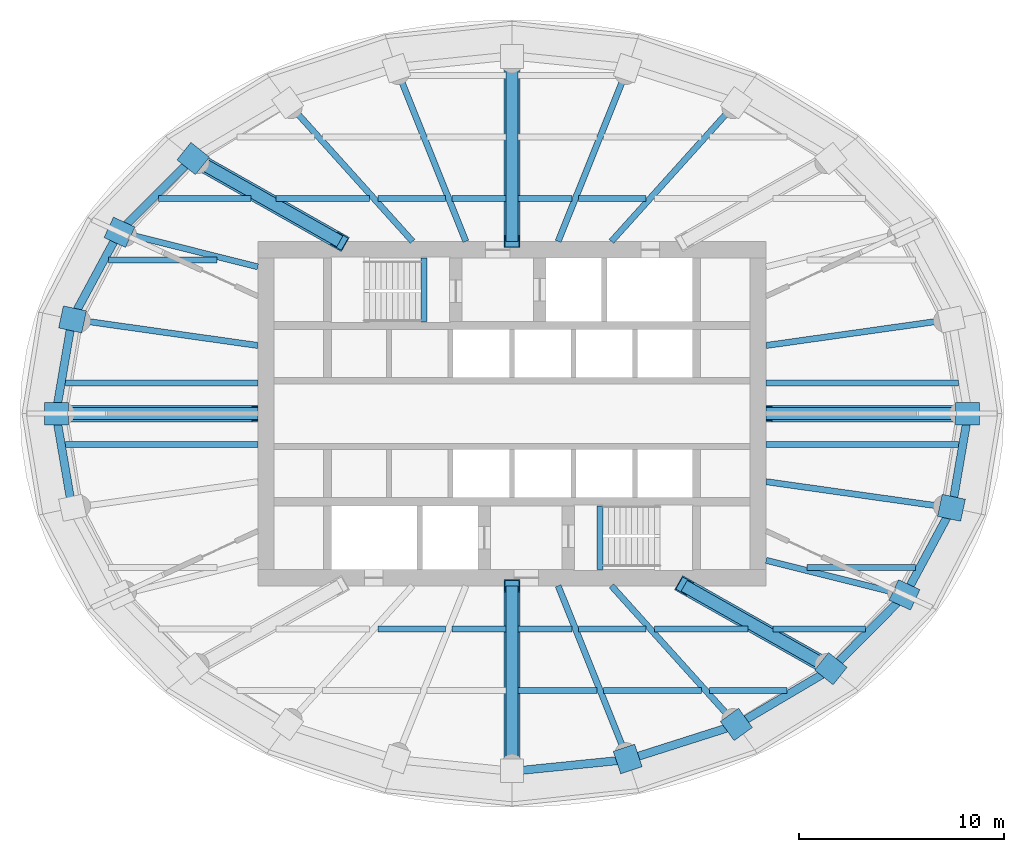
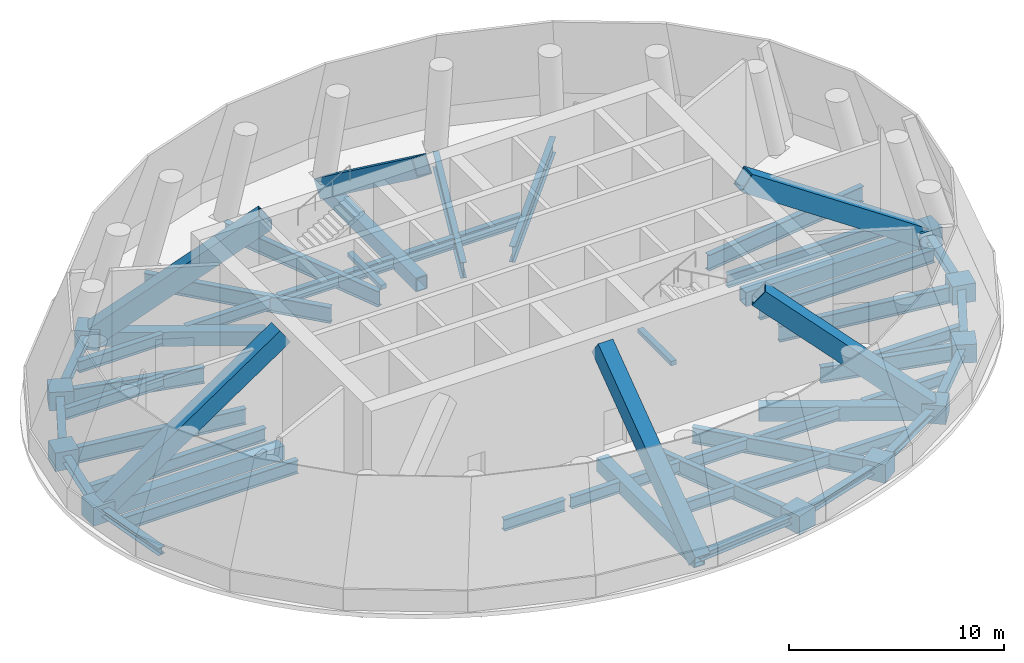
# One storey, part 2 of 6: 60 beams, 6 members.
"""IFC4 building model written with IfcOpenShell, lengths in metres."""

from ifc_helpers import new_model, si_unit, direction, frame, origin, origin_2d, place, context, subcontext, project, spatial, rectangle, hollow_rectangle, i_section, extrude, material, material_profile, profile_set, type_object, element, save


model = new_model("IFC4")

# Units and contexts
model_context = context("Model", 3, precision=1e-05, world=origin(), true_north=direction((0.0, 1.0)))
body_context = subcontext(model_context, "Body", "Model", "MODEL_VIEW")
ifc_project = project(units=[si_unit("LENGTHUNIT", "METRE"), si_unit("AREAUNIT", "SQUARE_METRE"), si_unit("VOLUMEUNIT", "CUBIC_METRE"), si_unit("PLANEANGLEUNIT", "RADIAN"), si_unit("MASSUNIT", "GRAM", prefix="KILO")], contexts=[model_context])

# Site, building, storey
site_placement = place(None, origin())
site = spatial("IfcSite", under=ifc_project, at=site_placement, CompositionType="ELEMENT")
building_placement = place(site_placement, origin())
building = spatial("IfcBuilding", under=site, at=building_placement, Name="Hankou Lantern Tower", CompositionType="ELEMENT")
storey_placement = place(building_placement, frame((0.0, 0.0, 186.300048828125)))
storey = spatial("IfcBuildingStorey", under=building, at=storey_placement, Name="L50", CompositionType="ELEMENT", Elevation=186.300048828125)

# Beams
ifc_material_1 = material(Name="Steel Q355B", Category="steel")
ifc_material_profile_1 = material_profile(ifc_material_1, i_section(OverallWidth=0.39990234375, OverallDepth=0.39990234375, WebThickness=0.012939453125, FlangeThickness=0.02099609375, FilletRadius=0.02197265625, at=origin_2d()), Name="HW400x400x13x21")
ifc_profile_set_1 = profile_set([ifc_material_profile_1], Name="Steel Q355B")
beam_type_1 = type_object("IfcBeamType", Name="EB19 RING BEAM HW400x400x13x21", PredefinedType="SPANDREL", material=ifc_profile_set_1)
beam_1_placement = place(storey_placement, frame((-15.576171875, 12.4609375, -0.449951171875), z_axis=(-0.706147278092, -0.708064984054, 0.0), x_axis=(0.708064984054, -0.706147278092, 0.0)))
element("IfcBeam", 1, at=beam_1_placement, inside=storey, type_object=beam_type_1, Name="Ring beam R10-R11 L50", PredefinedType="SPANDREL", context=body_context, shape_type="SweptSolid", body=[
    extrude(i_section(OverallWidth=0.39990234375, OverallDepth=0.39990234375, WebThickness=0.012939453125, FlangeThickness=0.02099609375, FilletRadius=0.02197265625, at=origin_2d()), origin(), (0.0, 0.0, 1.0), 5.09228515625),
])
beam_2_placement = place(storey_placement, frame((-19.172119140625, 8.855224609375, -0.449951171875), z_axis=(-0.474051612334, -0.880497057828, 0.0), x_axis=(0.880497057828, -0.474051612334, 0.0)))
element("IfcBeam", 2, at=beam_2_placement, inside=storey, type_object=beam_type_1, Name="Ring beam R11-R12 L50", PredefinedType="SPANDREL", context=body_context, shape_type="SweptSolid", body=[
    extrude(i_section(OverallWidth=0.39990234375, OverallDepth=0.39990234375, WebThickness=0.012939453125, FlangeThickness=0.02099609375, FilletRadius=0.02197265625, at=origin_2d()), origin(), (0.0, 0.0, 1.0), 4.831787109375),
])
for number, where, z_axis, x_axis, name in (
    (3, (-21.462646484375, 4.600830078125, -0.449951171875), (-0.168680718946, -0.985670743735, 0.0), (0.985670743735, -0.168680718946, 0.0), "Ring beam R12-R13 L50"),
    (4, (-22.25, 0.0, -0.449951171875), (0.168680718946, -0.985670743735, 0.0), (0.985670743735, 0.168680718946, 0.0), "Ring beam R13-R14 L50"),
):
    element("IfcBeam", number, at=place(storey_placement, frame(where, z_axis=z_axis, x_axis=x_axis)), inside=storey, type_object=beam_type_1, Name=name, PredefinedType="SPANDREL", context=body_context, shape_type="SweptSolid", body=[
        extrude(i_section(OverallWidth=0.39990234375, OverallDepth=0.39990234375, WebThickness=0.012939453125, FlangeThickness=0.02099609375, FilletRadius=0.02197265625, at=origin_2d()), origin(), (0.0, 0.0, 1.0), 4.667724609375),
    ])
beam_3_placement = place(storey_placement, frame((0.0, -17.449951171875, -0.449951171875), z_axis=(0.9949104636, 0.100762936734, 0.0), x_axis=(-0.100762936734, 0.9949104636, 0.0)))
element("IfcBeam", 5, at=beam_3_placement, inside=storey, type_object=beam_type_1, Name="Ring beam R19-R20 L50", PredefinedType="SPANDREL", context=body_context, shape_type="SweptSolid", body=[
    extrude(i_section(OverallWidth=0.39990234375, OverallDepth=0.39990234375, WebThickness=0.012939453125, FlangeThickness=0.02099609375, FilletRadius=0.02197265625, at=origin_2d()), origin(), (0.0, 0.0, 1.0), 5.681640625),
])
beam_4_placement = place(storey_placement, frame((5.65283203125, -16.87744140625, -0.449951171875), z_axis=(0.952790404271, 0.30362879562, 0.0), x_axis=(-0.30362879562, 0.952790404271, 0.0)))
element("IfcBeam", 6, at=beam_4_placement, inside=storey, type_object=beam_type_1, Name="Ring beam R20-R21 L50", PredefinedType="SPANDREL", context=body_context, shape_type="SweptSolid", body=[
    extrude(i_section(OverallWidth=0.39990234375, OverallDepth=0.39990234375, WebThickness=0.012939453125, FlangeThickness=0.02099609375, FilletRadius=0.02197265625, at=origin_2d()), origin(), (0.0, 0.0, 1.0), 5.56982421875),
])
beam_5_placement = place(storey_placement, frame((10.959716796875, -15.186279296875, -0.449951171875), z_axis=(0.861135888339, 0.508374843806, 0.0), x_axis=(-0.508374843806, 0.861135888339, 0.0)))
element("IfcBeam", 7, at=beam_5_placement, inside=storey, type_object=beam_type_1, Name="Ring beam R21-R22 L50", PredefinedType="SPANDREL", context=body_context, shape_type="SweptSolid", body=[
    extrude(i_section(OverallWidth=0.39990234375, OverallDepth=0.39990234375, WebThickness=0.012939453125, FlangeThickness=0.02099609375, FilletRadius=0.02197265625, at=origin_2d()), origin(), (0.0, 0.0, 1.0), 5.36083984375),
])
beam_6_placement = place(storey_placement, frame((15.576171875, -12.4609375, -0.449951171875), z_axis=(0.706147278092, 0.708064984054, 0.0), x_axis=(-0.708064984054, 0.706147278092, 0.0)))
element("IfcBeam", 8, at=beam_6_placement, inside=storey, type_object=beam_type_1, Name="Ring beam R22-R23 L50", PredefinedType="SPANDREL", context=body_context, shape_type="SweptSolid", body=[
    extrude(i_section(OverallWidth=0.39990234375, OverallDepth=0.39990234375, WebThickness=0.012939453125, FlangeThickness=0.02099609375, FilletRadius=0.02197265625, at=origin_2d()), origin(), (0.0, 0.0, 1.0), 5.09228515625),
])
beam_7_placement = place(storey_placement, frame((19.172119140625, -8.855224609375, -0.449951171875), z_axis=(0.474051612334, 0.880497057828, 0.0), x_axis=(-0.880497057828, 0.474051612334, 0.0)))
element("IfcBeam", 9, at=beam_7_placement, inside=storey, type_object=beam_type_1, Name="Ring beam R23-R24 L50", PredefinedType="SPANDREL", context=body_context, shape_type="SweptSolid", body=[
    extrude(i_section(OverallWidth=0.39990234375, OverallDepth=0.39990234375, WebThickness=0.012939453125, FlangeThickness=0.02099609375, FilletRadius=0.02197265625, at=origin_2d()), origin(), (0.0, 0.0, 1.0), 4.831787109375),
])
beam_8_placement = place(storey_placement, frame((21.462646484375, -4.600830078125, -0.449951171875), z_axis=(0.168680718946, 0.985670743735, 0.0), x_axis=(-0.985670743735, 0.168680718946, 0.0)))
element("IfcBeam", 10, at=beam_8_placement, inside=storey, type_object=beam_type_1, Name="Ring beam R24-R01 L50", PredefinedType="SPANDREL", context=body_context, shape_type="SweptSolid", body=[
    extrude(i_section(OverallWidth=0.39990234375, OverallDepth=0.39990234375, WebThickness=0.012939453125, FlangeThickness=0.02099609375, FilletRadius=0.02197265625, at=origin_2d()), origin(), (0.0, 0.0, 1.0), 4.667724609375),
])
ifc_material_2 = material(Name="Concrete C40", Category="concrete")
ifc_material_profile_2 = material_profile(ifc_material_2, rectangle(XDim=0.300048828125, YDim=0.25, at=origin_2d()), Name="RC 300x250")
ifc_profile_set_2 = profile_set([ifc_material_profile_2], Name="Concrete C40")
beam_type_2 = type_object("IfcBeamType", Name="LB1 STAIR LANDING BEAM RC 300x250", PredefinedType="BEAM", material=ifc_profile_set_2)
for number, where, z_axis, x_axis, name in (
    (11, (-4.300048828125, 4.5, 3.017822265625), (0.0, 1.0, 0.0), (-1.0, 0.0, 0.0), "Stair STA landing beam L50"),
    (12, (4.300048828125, -4.5, 3.017822265625), (0.0, -1.0, 0.0), (1.0, 0.0, 0.0), "Stair STB landing beam L50"),
):
    element("IfcBeam", number, at=place(storey_placement, frame(where, z_axis=z_axis, x_axis=x_axis)), inside=storey, type_object=beam_type_2, Name=name, PredefinedType="BEAM", context=body_context, shape_type="SweptSolid", body=[
        extrude(rectangle(XDim=0.300048828125, YDim=0.25, at=origin_2d()), origin(), (0.0, 0.0, 1.0), 3.10009765625),
    ])

# Members
ifc_material_3 = material(Name="Steel Q390GJ", Category="steel")
ifc_material_profile_3 = material_profile(ifc_material_3, hollow_rectangle(XDim=0.800048828125, YDim=1.0, WallThickness=0.06005859375, at=origin_2d()), Name="BOX1000x800x60")
ifc_profile_set_3 = profile_set([ifc_material_profile_3], Name="Steel Q390GJ")
member_type = type_object("IfcMemberType", Name="OD1 OUTRIGGER DIAGONAL BOX1000x800x60", PredefinedType="BRACE", material=ifc_profile_set_3)
member_1_placement = place(storey_placement, frame((12.39990234375, 0.0, 6.02001953125), z_axis=(0.828015510354, 0.0, -0.560705194031), x_axis=(0.0, 1.0, 0.0)))
element("IfcMember", 13, at=member_1_placement, inside=storey, type_object=member_type, Name="Outrigger diagonal R01 L50", PredefinedType="BRACE", context=body_context, shape_type="SweptSolid", body=[
    extrude(hollow_rectangle(XDim=0.800048828125, YDim=1.0, WallThickness=0.06005859375, at=origin_2d()), origin(), (0.0, 0.0, 1.0), 11.89599609375),
])
member_2_placement = place(storey_placement, frame((0.0, 8.39990234375, 6.02001953125), z_axis=(0.0, 0.804983237372, -0.593297553973), x_axis=(-1.0, 0.0, 0.0)))
element("IfcMember", 14, at=member_2_placement, inside=storey, type_object=member_type, Name="Outrigger diagonal R07 L50", PredefinedType="BRACE", context=body_context, shape_type="SweptSolid", body=[
    extrude(hollow_rectangle(XDim=0.800048828125, YDim=1.0, WallThickness=0.06005859375, at=origin_2d()), origin(), (0.0, 0.0, 1.0), 11.242431640625),
])
member_3_placement = place(storey_placement, frame((-8.39990234375, 8.39990234375, 6.02001953125), z_axis=(-0.676639416663, 0.38290875882, -0.628919694585), x_axis=(-0.492505983234, -0.870309058024, 0.0)))
element("IfcMember", 15, at=member_3_placement, inside=storey, type_object=member_type, Name="Outrigger diagonal R10 L50", PredefinedType="BRACE", context=body_context, shape_type="SweptSolid", body=[
    extrude(hollow_rectangle(XDim=0.800048828125, YDim=1.0, WallThickness=0.06005859375, at=origin_2d()), origin(), (0.0, 0.0, 1.0), 10.605712890625),
])
member_4_placement = place(storey_placement, frame((-12.39990234375, 0.0, 6.02001953125), z_axis=(-0.828015510354, 0.0, -0.560705194031), x_axis=(0.0, -1.0, 0.0)))
element("IfcMember", 16, at=member_4_placement, inside=storey, type_object=member_type, Name="Outrigger diagonal R13 L50", PredefinedType="BRACE", context=body_context, shape_type="SweptSolid", body=[
    extrude(hollow_rectangle(XDim=0.800048828125, YDim=1.0, WallThickness=0.06005859375, at=origin_2d()), origin(), (0.0, 0.0, 1.0), 11.89599609375),
])
member_5_placement = place(storey_placement, frame((0.0, -8.39990234375, 6.02001953125), z_axis=(0.0, -0.804983237372, -0.593297553973), x_axis=(1.0, 0.0, 0.0)))
element("IfcMember", 17, at=member_5_placement, inside=storey, type_object=member_type, Name="Outrigger diagonal R19 L50", PredefinedType="BRACE", context=body_context, shape_type="SweptSolid", body=[
    extrude(hollow_rectangle(XDim=0.800048828125, YDim=1.0, WallThickness=0.06005859375, at=origin_2d()), origin(), (0.0, 0.0, 1.0), 11.242431640625),
])
member_6_placement = place(storey_placement, frame((8.39990234375, -8.39990234375, 6.02001953125), z_axis=(0.676639416663, -0.38290875882, -0.628919694585), x_axis=(0.492505983234, 0.870309058024, 0.0)))
element("IfcMember", 18, at=member_6_placement, inside=storey, type_object=member_type, Name="Outrigger diagonal R22 L50", PredefinedType="BRACE", context=body_context, shape_type="SweptSolid", body=[
    extrude(hollow_rectangle(XDim=0.800048828125, YDim=1.0, WallThickness=0.06005859375, at=origin_2d()), origin(), (0.0, 0.0, 1.0), 10.605712890625),
])

# Beams
ifc_material_4 = material(Name="Steel Q390GJ", Category="steel")
ifc_material_profile_4 = material_profile(ifc_material_4, hollow_rectangle(XDim=0.60009765625, YDim=0.800048828125, WallThickness=0.050048828125, at=origin_2d()), Name="BOX800x600x50")
ifc_profile_set_4 = profile_set([ifc_material_profile_4], Name="Steel Q390GJ")
beam_type_3 = type_object("IfcBeamType", Name="OT2 OUTRIGGER CHORD BOX800x600x50", PredefinedType="BEAM", material=ifc_profile_set_4)
beam_9_placement = place(storey_placement, frame((12.39990234375, 0.0, -0.650146484375), z_axis=(1.0, 0.0, 0.0), x_axis=(0.0, 1.0, 0.0)))
element("IfcBeam", 19, at=beam_9_placement, inside=storey, type_object=beam_type_3, Name="Radial beam R01 L50", PredefinedType="BEAM", context=body_context, shape_type="SweptSolid", body=[
    extrude(hollow_rectangle(XDim=0.60009765625, YDim=0.800048828125, WallThickness=0.050048828125, at=origin_2d()), origin(), (0.0, 0.0, 1.0), 9.85009765625),
])
beam_10_placement = place(storey_placement, frame((0.0, 8.39990234375, -0.650146484375), z_axis=(0.0, 1.0, 0.0), x_axis=(-1.0, 0.0, 0.0)))
element("IfcBeam", 20, at=beam_10_placement, inside=storey, type_object=beam_type_3, Name="Radial beam R07 L50", PredefinedType="BEAM", context=body_context, shape_type="SweptSolid", body=[
    extrude(hollow_rectangle(XDim=0.60009765625, YDim=0.800048828125, WallThickness=0.050048828125, at=origin_2d()), origin(), (0.0, 0.0, 1.0), 9.050048828125),
])
beam_11_placement = place(storey_placement, frame((-8.39990234375, 8.39990234375, -0.650146484375), z_axis=(-0.870309058024, 0.492505983234, 0.0), x_axis=(-0.492505983234, -0.870309058024, 0.0)))
element("IfcBeam", 21, at=beam_11_placement, inside=storey, type_object=beam_type_3, Name="Radial beam R10 L50", PredefinedType="BEAM", context=body_context, shape_type="SweptSolid", body=[
    extrude(hollow_rectangle(XDim=0.60009765625, YDim=0.800048828125, WallThickness=0.050048828125, at=origin_2d()), origin(), (0.0, 0.0, 1.0), 8.24560546875),
])
beam_12_placement = place(storey_placement, frame((-12.39990234375, 0.0, -0.650146484375), z_axis=(-1.0, 0.0, 0.0), x_axis=(0.0, -1.0, 0.0)))
element("IfcBeam", 22, at=beam_12_placement, inside=storey, type_object=beam_type_3, Name="Radial beam R13 L50", PredefinedType="BEAM", context=body_context, shape_type="SweptSolid", body=[
    extrude(hollow_rectangle(XDim=0.60009765625, YDim=0.800048828125, WallThickness=0.050048828125, at=origin_2d()), origin(), (0.0, 0.0, 1.0), 9.85009765625),
])
beam_13_placement = place(storey_placement, frame((0.0, -8.39990234375, -0.650146484375), z_axis=(0.0, -1.0, 0.0), x_axis=(1.0, 0.0, 0.0)))
element("IfcBeam", 23, at=beam_13_placement, inside=storey, type_object=beam_type_3, Name="Radial beam R19 L50", PredefinedType="BEAM", context=body_context, shape_type="SweptSolid", body=[
    extrude(hollow_rectangle(XDim=0.60009765625, YDim=0.800048828125, WallThickness=0.050048828125, at=origin_2d()), origin(), (0.0, 0.0, 1.0), 9.050048828125),
])
beam_14_placement = place(storey_placement, frame((8.39990234375, -8.39990234375, -0.650146484375), z_axis=(0.870309058024, -0.492505983234, 0.0), x_axis=(0.492505983234, 0.870309058024, 0.0)))
element("IfcBeam", 24, at=beam_14_placement, inside=storey, type_object=beam_type_3, Name="Radial beam R22 L50", PredefinedType="BEAM", context=body_context, shape_type="SweptSolid", body=[
    extrude(hollow_rectangle(XDim=0.60009765625, YDim=0.800048828125, WallThickness=0.050048828125, at=origin_2d()), origin(), (0.0, 0.0, 1.0), 8.24560546875),
])
ifc_material_5 = material(Name="Steel Q355B", Category="steel")
ifc_material_profile_5 = material_profile(ifc_material_5, i_section(OverallWidth=0.300048828125, OverallDepth=0.89990234375, WebThickness=0.01611328125, FlangeThickness=0.028076171875, FilletRadius=0.01806640625, at=origin_2d()), Name="HN900x300x16x28")
ifc_profile_set_5 = profile_set([ifc_material_profile_5], Name="Steel Q355B")
beam_type_4 = type_object("IfcBeamType", Name="RB13 RADIAL BEAM HN900x300x16x28", PredefinedType="BEAM", material=ifc_profile_set_5)
beam_15_placement = place(storey_placement, frame((12.39990234375, 3.322509765625, -0.699951171875), z_axis=(0.990198154617, 0.13966966239, 0.0), x_axis=(-0.13966966239, 0.990198154617, 0.0)))
element("IfcBeam", 25, at=beam_15_placement, inside=storey, type_object=beam_type_4, Name="Radial beam R02 L50", PredefinedType="BEAM", context=body_context, shape_type="SweptSolid", body=[
    extrude(i_section(OverallWidth=0.300048828125, OverallDepth=0.89990234375, WebThickness=0.01611328125, FlangeThickness=0.028076171875, FilletRadius=0.01806640625, at=origin_2d()), origin(), (0.0, 0.0, 1.0), 9.15234375),
])
beam_16_placement = place(storey_placement, frame((4.849853515625, 8.39990234375, -0.699951171875), z_axis=(0.669093231314, 0.743178476418, 0.0), x_axis=(-0.743178476418, 0.669093231314, 0.0)))
element("IfcBeam", 26, at=beam_16_placement, inside=storey, type_object=beam_type_4, Name="Radial beam R05 L50", PredefinedType="BEAM", context=body_context, shape_type="SweptSolid", body=[
    extrude(i_section(OverallWidth=0.300048828125, OverallDepth=0.89990234375, WebThickness=0.01611328125, FlangeThickness=0.028076171875, FilletRadius=0.01806640625, at=origin_2d()), origin(), (0.0, 0.0, 1.0), 9.131591796875),
])
for number, where, z_axis, x_axis, name in (
    (27, (2.250732421875, 8.39990234375, -0.699951171875), (0.372436468133, 0.928057690666, 0.0), (-0.928057690666, 0.372436468133, 0.0), "Radial beam R06 L50"),
    (28, (-2.250732421875, 8.39990234375, -0.699951171875), (-0.372436468133, 0.928057690666, 0.0), (-0.928057690666, -0.372436468133, 0.0), "Radial beam R08 L50"),
):
    element("IfcBeam", number, at=place(storey_placement, frame(where, z_axis=z_axis, x_axis=x_axis)), inside=storey, type_object=beam_type_4, Name=name, PredefinedType="BEAM", context=body_context, shape_type="SweptSolid", body=[
        extrude(i_section(OverallWidth=0.300048828125, OverallDepth=0.89990234375, WebThickness=0.01611328125, FlangeThickness=0.028076171875, FilletRadius=0.01806640625, at=origin_2d()), origin(), (0.0, 0.0, 1.0), 9.134765625),
    ])
beam_17_placement = place(storey_placement, frame((-4.849853515625, 8.39990234375, -0.699951171875), z_axis=(-0.669093231314, 0.743178476418, 0.0), x_axis=(-0.743178476418, -0.669093231314, 0.0)))
element("IfcBeam", 29, at=beam_17_placement, inside=storey, type_object=beam_type_4, Name="Radial beam R09 L50", PredefinedType="BEAM", context=body_context, shape_type="SweptSolid", body=[
    extrude(i_section(OverallWidth=0.300048828125, OverallDepth=0.89990234375, WebThickness=0.01611328125, FlangeThickness=0.028076171875, FilletRadius=0.01806640625, at=origin_2d()), origin(), (0.0, 0.0, 1.0), 9.131591796875),
])
beam_18_placement = place(storey_placement, frame((-12.39990234375, 7.1591796875, -0.699951171875), z_axis=(-0.970041619568, 0.242938791274, 0.0), x_axis=(-0.242938791274, -0.970041619568, 0.0)))
element("IfcBeam", 30, at=beam_18_placement, inside=storey, type_object=beam_type_4, Name="Radial beam R11 L50", PredefinedType="BEAM", context=body_context, shape_type="SweptSolid", body=[
    extrude(i_section(OverallWidth=0.300048828125, OverallDepth=0.89990234375, WebThickness=0.01611328125, FlangeThickness=0.028076171875, FilletRadius=0.01806640625, at=origin_2d()), origin(), (0.0, 0.0, 1.0), 6.9814453125),
])
beam_19_placement = place(storey_placement, frame((-12.39990234375, 3.322509765625, -0.699951171875), z_axis=(-0.990198154617, 0.13966966239, 0.0), x_axis=(-0.13966966239, -0.990198154617, 0.0)))
element("IfcBeam", 31, at=beam_19_placement, inside=storey, type_object=beam_type_4, Name="Radial beam R12 L50", PredefinedType="BEAM", context=body_context, shape_type="SweptSolid", body=[
    extrude(i_section(OverallWidth=0.300048828125, OverallDepth=0.89990234375, WebThickness=0.01611328125, FlangeThickness=0.028076171875, FilletRadius=0.01806640625, at=origin_2d()), origin(), (0.0, 0.0, 1.0), 9.15234375),
])
beam_20_placement = place(storey_placement, frame((2.250732421875, -8.39990234375, -0.699951171875), z_axis=(0.372436468133, -0.928057690666, 0.0), x_axis=(0.928057690666, 0.372436468133, 0.0)))
element("IfcBeam", 32, at=beam_20_placement, inside=storey, type_object=beam_type_4, Name="Radial beam R20 L50", PredefinedType="BEAM", context=body_context, shape_type="SweptSolid", body=[
    extrude(i_section(OverallWidth=0.300048828125, OverallDepth=0.89990234375, WebThickness=0.01611328125, FlangeThickness=0.028076171875, FilletRadius=0.01806640625, at=origin_2d()), origin(), (0.0, 0.0, 1.0), 9.134765625),
])
beam_21_placement = place(storey_placement, frame((4.849853515625, -8.39990234375, -0.699951171875), z_axis=(0.669093231314, -0.743178476418, 0.0), x_axis=(0.743178476418, 0.669093231314, 0.0)))
element("IfcBeam", 33, at=beam_21_placement, inside=storey, type_object=beam_type_4, Name="Radial beam R21 L50", PredefinedType="BEAM", context=body_context, shape_type="SweptSolid", body=[
    extrude(i_section(OverallWidth=0.300048828125, OverallDepth=0.89990234375, WebThickness=0.01611328125, FlangeThickness=0.028076171875, FilletRadius=0.01806640625, at=origin_2d()), origin(), (0.0, 0.0, 1.0), 9.131591796875),
])
beam_22_placement = place(storey_placement, frame((12.39990234375, -7.1591796875, -0.699951171875), z_axis=(0.970041619568, -0.242938791274, 0.0), x_axis=(0.242938791274, 0.970041619568, 0.0)))
element("IfcBeam", 34, at=beam_22_placement, inside=storey, type_object=beam_type_4, Name="Radial beam R23 L50", PredefinedType="BEAM", context=body_context, shape_type="SweptSolid", body=[
    extrude(i_section(OverallWidth=0.300048828125, OverallDepth=0.89990234375, WebThickness=0.01611328125, FlangeThickness=0.028076171875, FilletRadius=0.01806640625, at=origin_2d()), origin(), (0.0, 0.0, 1.0), 6.9814453125),
])
beam_23_placement = place(storey_placement, frame((12.39990234375, -3.322509765625, -0.699951171875), z_axis=(0.990198154617, -0.13966966239, 0.0), x_axis=(0.13966966239, 0.990198154617, 0.0)))
element("IfcBeam", 35, at=beam_23_placement, inside=storey, type_object=beam_type_4, Name="Radial beam R24 L50", PredefinedType="BEAM", context=body_context, shape_type="SweptSolid", body=[
    extrude(i_section(OverallWidth=0.300048828125, OverallDepth=0.89990234375, WebThickness=0.01611328125, FlangeThickness=0.028076171875, FilletRadius=0.01806640625, at=origin_2d()), origin(), (0.0, 0.0, 1.0), 9.15234375),
])
ifc_material_6 = material(Name="Steel Q355B", Category="steel")
ifc_material_profile_6 = material_profile(ifc_material_6, i_section(OverallWidth=0.300048828125, OverallDepth=0.75, WebThickness=0.012939453125, FlangeThickness=0.02392578125, FilletRadius=0.01806640625, at=origin_2d()), Name="HN750x300x13x24")
ifc_profile_set_6 = profile_set([ifc_material_profile_6], Name="Steel Q355B")
beam_type_5 = type_object("IfcBeamType", Name="SB10 SECONDARY BEAM HN750x300x13x24", PredefinedType="JOIST", material=ifc_profile_set_6)
for number, where, z_axis, x_axis, name in (
    (36, (-21.790283203125, -1.5, -0.625), (1.0, 0.0, 0.0), (0.0, 1.0, 0.0), "Floor joist J019 L50"),
    (37, (12.39990234375, -1.5, -0.625), (1.0, 0.0, 0.0), (0.0, 1.0, 0.0), "Floor joist J020 L50"),
    (38, (-21.790283203125, 1.5, -0.625), (1.0, 0.0, 0.0), (0.0, 1.0, 0.0), "Floor joist J021 L50"),
    (39, (12.39990234375, 1.5, -0.625), (1.0, 0.0, 0.0), (0.0, 1.0, 0.0), "Floor joist J022 L50"),
):
    element("IfcBeam", number, at=place(storey_placement, frame(where, z_axis=z_axis, x_axis=x_axis)), inside=storey, type_object=beam_type_5, Name=name, PredefinedType="JOIST", context=body_context, shape_type="SweptSolid", body=[
        extrude(i_section(OverallWidth=0.300048828125, OverallDepth=0.75, WebThickness=0.012939453125, FlangeThickness=0.02392578125, FilletRadius=0.01806640625, at=origin_2d()), origin(), (0.0, 0.0, 1.0), 9.390380859375),
    ])
ifc_material_7 = material(Name="Steel Q355B", Category="steel")
ifc_material_profile_7 = material_profile(ifc_material_7, i_section(OverallWidth=0.300048828125, OverallDepth=0.64990234375, WebThickness=0.010986328125, FlangeThickness=0.01708984375, FilletRadius=0.01806640625, at=origin_2d()), Name="HN650x300x11x17")
ifc_profile_set_7 = profile_set([ifc_material_profile_7], Name="Steel Q355B")
beam_type_6 = type_object("IfcBeamType", Name="SB8 SECONDARY BEAM HN650x300x11x17", PredefinedType="JOIST", material=ifc_profile_set_7)
beam_24_placement = place(storey_placement, frame((0.300048828125, -13.5, -0.574951171875), z_axis=(1.0, 0.0, 0.0), x_axis=(0.0, 1.0, 0.0)))
element("IfcBeam", 40, at=beam_24_placement, inside=storey, type_object=beam_type_6, Name="Floor joist J004 L50", PredefinedType="JOIST", context=body_context, shape_type="SweptSolid", body=[
    extrude(i_section(OverallWidth=0.300048828125, OverallDepth=0.64990234375, WebThickness=0.010986328125, FlangeThickness=0.01708984375, FilletRadius=0.01806640625, at=origin_2d()), origin(), (0.0, 0.0, 1.0), 3.8359375),
])
beam_25_placement = place(storey_placement, frame((4.459228515625, -13.5, -0.574951171875), z_axis=(1.0, 0.0, 0.0), x_axis=(0.0, 1.0, 0.0)))
element("IfcBeam", 41, at=beam_25_placement, inside=storey, type_object=beam_type_6, Name="Floor joist J005 L50", PredefinedType="JOIST", context=body_context, shape_type="SweptSolid", body=[
    extrude(i_section(OverallWidth=0.300048828125, OverallDepth=0.64990234375, WebThickness=0.010986328125, FlangeThickness=0.01708984375, FilletRadius=0.01806640625, at=origin_2d()), origin(), (0.0, 0.0, 1.0), 4.780517578125),
])
beam_26_placement = place(storey_placement, frame((9.643310546875, -13.5, -0.574951171875), z_axis=(1.0, 0.0, 0.0), x_axis=(0.0, 1.0, 0.0)))
element("IfcBeam", 42, at=beam_26_placement, inside=storey, type_object=beam_type_6, Name="Floor joist J006 L50", PredefinedType="JOIST", context=body_context, shape_type="SweptSolid", body=[
    extrude(i_section(OverallWidth=0.300048828125, OverallDepth=0.64990234375, WebThickness=0.010986328125, FlangeThickness=0.01708984375, FilletRadius=0.01806640625, at=origin_2d()), origin(), (0.0, 0.0, 1.0), 3.779296875),
])
beam_27_placement = place(storey_placement, frame((-6.53857421875, -10.5, -0.574951171875), z_axis=(1.0, 0.0, 0.0), x_axis=(0.0, 1.0, 0.0)))
element("IfcBeam", 43, at=beam_27_placement, inside=storey, type_object=beam_type_6, Name="Floor joist J009 L50", PredefinedType="JOIST", context=body_context, shape_type="SweptSolid", body=[
    extrude(i_section(OverallWidth=0.300048828125, OverallDepth=0.64990234375, WebThickness=0.010986328125, FlangeThickness=0.01708984375, FilletRadius=0.01806640625, at=origin_2d()), origin(), (0.0, 0.0, 1.0), 3.283447265625),
])
for number, where, z_axis, x_axis, name in (
    (44, (-2.931884765625, -10.5, -0.574951171875), (1.0, 0.0, 0.0), (0.0, 1.0, 0.0), "Floor joist J010 L50"),
    (45, (0.300048828125, -10.5, -0.574951171875), (1.0, 0.0, 0.0), (0.0, 1.0, 0.0), "Floor joist J011 L50"),
):
    element("IfcBeam", number, at=place(storey_placement, frame(where, z_axis=z_axis, x_axis=x_axis)), inside=storey, type_object=beam_type_6, Name=name, PredefinedType="JOIST", context=body_context, shape_type="SweptSolid", body=[
        extrude(i_section(OverallWidth=0.300048828125, OverallDepth=0.64990234375, WebThickness=0.010986328125, FlangeThickness=0.01708984375, FilletRadius=0.01806640625, at=origin_2d()), origin(), (0.0, 0.0, 1.0), 2.6318359375),
    ])
beam_28_placement = place(storey_placement, frame((3.255126953125, -10.5, -0.574951171875), z_axis=(1.0, 0.0, 0.0), x_axis=(0.0, 1.0, 0.0)))
element("IfcBeam", 46, at=beam_28_placement, inside=storey, type_object=beam_type_6, Name="Floor joist J012 L50", PredefinedType="JOIST", context=body_context, shape_type="SweptSolid", body=[
    extrude(i_section(OverallWidth=0.300048828125, OverallDepth=0.64990234375, WebThickness=0.010986328125, FlangeThickness=0.01708984375, FilletRadius=0.01806640625, at=origin_2d()), origin(), (0.0, 0.0, 1.0), 3.283447265625),
])
beam_29_placement = place(storey_placement, frame((6.9423828125, -10.5, -0.574951171875), z_axis=(1.0, 0.0, 0.0), x_axis=(0.0, 1.0, 0.0)))
element("IfcBeam", 47, at=beam_29_placement, inside=storey, type_object=beam_type_6, Name="Floor joist J013 L50", PredefinedType="JOIST", context=body_context, shape_type="SweptSolid", body=[
    extrude(i_section(OverallWidth=0.300048828125, OverallDepth=0.64990234375, WebThickness=0.010986328125, FlangeThickness=0.01708984375, FilletRadius=0.01806640625, at=origin_2d()), origin(), (0.0, 0.0, 1.0), 4.5595703125),
])
beam_30_placement = place(storey_placement, frame((12.72021484375, -10.5, -0.574951171875), z_axis=(1.0, 0.0, 0.0), x_axis=(0.0, 1.0, 0.0)))
element("IfcBeam", 48, at=beam_30_placement, inside=storey, type_object=beam_type_6, Name="Floor joist J014 L50", PredefinedType="JOIST", context=body_context, shape_type="SweptSolid", body=[
    extrude(i_section(OverallWidth=0.300048828125, OverallDepth=0.64990234375, WebThickness=0.010986328125, FlangeThickness=0.01708984375, FilletRadius=0.01806640625, at=origin_2d()), origin(), (0.0, 0.0, 1.0), 4.529052734375),
])
for number, where, z_axis, x_axis, name in (
    (49, (14.37841796875, -7.5, -0.574951171875), (1.0, 0.0, 0.0), (0.0, 1.0, 0.0), "Floor joist J016 L50"),
    (50, (-19.6748046875, 7.5, -0.574951171875), (1.0, 0.0, 0.0), (0.0, 1.0, 0.0), "Floor joist J025 L50"),
):
    element("IfcBeam", number, at=place(storey_placement, frame(where, z_axis=z_axis, x_axis=x_axis)), inside=storey, type_object=beam_type_6, Name=name, PredefinedType="JOIST", context=body_context, shape_type="SweptSolid", body=[
        extrude(i_section(OverallWidth=0.300048828125, OverallDepth=0.64990234375, WebThickness=0.010986328125, FlangeThickness=0.01708984375, FilletRadius=0.01806640625, at=origin_2d()), origin(), (0.0, 0.0, 1.0), 5.29638671875),
    ])
beam_31_placement = place(storey_placement, frame((-17.249267578125, 10.5, -0.574951171875), z_axis=(1.0, 0.0, 0.0), x_axis=(0.0, 1.0, 0.0)))
element("IfcBeam", 51, at=beam_31_placement, inside=storey, type_object=beam_type_6, Name="Floor joist J027 L50", PredefinedType="JOIST", context=body_context, shape_type="SweptSolid", body=[
    extrude(i_section(OverallWidth=0.300048828125, OverallDepth=0.64990234375, WebThickness=0.010986328125, FlangeThickness=0.01708984375, FilletRadius=0.01806640625, at=origin_2d()), origin(), (0.0, 0.0, 1.0), 4.529052734375),
])
beam_32_placement = place(storey_placement, frame((-11.501953125, 10.5, -0.574951171875), z_axis=(1.0, 0.0, 0.0), x_axis=(0.0, 1.0, 0.0)))
element("IfcBeam", 52, at=beam_32_placement, inside=storey, type_object=beam_type_6, Name="Floor joist J028 L50", PredefinedType="JOIST", context=body_context, shape_type="SweptSolid", body=[
    extrude(i_section(OverallWidth=0.300048828125, OverallDepth=0.64990234375, WebThickness=0.010986328125, FlangeThickness=0.01708984375, FilletRadius=0.01806640625, at=origin_2d()), origin(), (0.0, 0.0, 1.0), 4.5595703125),
])
beam_33_placement = place(storey_placement, frame((-6.53857421875, 10.5, -0.574951171875), z_axis=(1.0, 0.0, 0.0), x_axis=(0.0, 1.0, 0.0)))
element("IfcBeam", 53, at=beam_33_placement, inside=storey, type_object=beam_type_6, Name="Floor joist J029 L50", PredefinedType="JOIST", context=body_context, shape_type="SweptSolid", body=[
    extrude(i_section(OverallWidth=0.300048828125, OverallDepth=0.64990234375, WebThickness=0.010986328125, FlangeThickness=0.01708984375, FilletRadius=0.01806640625, at=origin_2d()), origin(), (0.0, 0.0, 1.0), 3.283447265625),
])
for number, where, z_axis, x_axis, name in (
    (54, (-2.931884765625, 10.5, -0.574951171875), (1.0, 0.0, 0.0), (0.0, 1.0, 0.0), "Floor joist J030 L50"),
    (55, (0.300048828125, 10.5, -0.574951171875), (1.0, 0.0, 0.0), (0.0, 1.0, 0.0), "Floor joist J031 L50"),
):
    element("IfcBeam", number, at=place(storey_placement, frame(where, z_axis=z_axis, x_axis=x_axis)), inside=storey, type_object=beam_type_6, Name=name, PredefinedType="JOIST", context=body_context, shape_type="SweptSolid", body=[
        extrude(i_section(OverallWidth=0.300048828125, OverallDepth=0.64990234375, WebThickness=0.010986328125, FlangeThickness=0.01708984375, FilletRadius=0.01806640625, at=origin_2d()), origin(), (0.0, 0.0, 1.0), 2.6318359375),
    ])
beam_34_placement = place(storey_placement, frame((3.255126953125, 10.5, -0.574951171875), z_axis=(1.0, 0.0, 0.0), x_axis=(0.0, 1.0, 0.0)))
element("IfcBeam", 56, at=beam_34_placement, inside=storey, type_object=beam_type_6, Name="Floor joist J032 L50", PredefinedType="JOIST", context=body_context, shape_type="SweptSolid", body=[
    extrude(i_section(OverallWidth=0.300048828125, OverallDepth=0.64990234375, WebThickness=0.010986328125, FlangeThickness=0.01708984375, FilletRadius=0.01806640625, at=origin_2d()), origin(), (0.0, 0.0, 1.0), 3.283447265625),
])
ifc_material_8 = material(Name="Concrete C50", Category="concrete")
ifc_material_profile_8 = material_profile(ifc_material_8, rectangle(XDim=1.10009765625, YDim=1.050048828125, at=origin_2d()), Name="RC 1100x1050")
ifc_profile_set_8 = profile_set([ifc_material_profile_8], Name="Concrete C50")
beam_type_7 = type_object("IfcBeamType", Name="TN3 TRANSFER NODE RC 1100x1050", PredefinedType="BEAM", material=ifc_profile_set_8)
for number, where, z_axis, x_axis, name in (
    (57, (22.800048828125, 0.0, -0.525146484375), (-1.0, 0.0, 0.0), (0.0, -1.0, 0.0), "Transfer node R01 L50"),
    (58, (-16.005615234375, 12.804443359375, -0.525146484375), (0.780889432822, -0.624669267458, 0.0), (0.624669267458, 0.780889432822, 0.0), "Transfer node R10 L50"),
    (59, (-19.671630859375, 9.0859375, -0.525146484375), (0.907823236593, -0.419353038743, 0.0), (0.419353038743, 0.907823236593, 0.0), "Transfer node R11 L50"),
    (60, (-22.00048828125, 4.716064453125, -0.525146484375), (0.977771472055, -0.209673432832, 0.0), (0.209673432832, 0.977771472055, 0.0), "Transfer node R12 L50"),
    (61, (-22.800048828125, 0.0, -0.525146484375), (1.0, 0.0, 0.0), (0.0, 1.0, 0.0), "Transfer node R13 L50"),
    (62, (5.82763671875, -17.39892578125, -0.525146484375), (-0.317685830277, 0.94819603102, 0.0), (-0.94819603102, -0.317685830277, 0.0), "Transfer node R20 L50"),
    (63, (11.281494140625, -15.63232421875, -0.525146484375), (-0.585050594175, 0.810996795466, 0.0), (-0.810996795466, -0.585050594175, 0.0), "Transfer node R21 L50"),
    (64, (16.005615234375, -12.804443359375, -0.525146484375), (-0.780889432822, 0.624669267458, 0.0), (-0.624669267458, -0.780889432822, 0.0), "Transfer node R22 L50"),
    (65, (19.671630859375, -9.0859375, -0.525146484375), (-0.907823236593, 0.419353038743, 0.0), (-0.419353038743, -0.907823236593, 0.0), "Transfer node R23 L50"),
    (66, (22.00048828125, -4.716064453125, -0.525146484375), (-0.977771472055, 0.209673432832, 0.0), (-0.209673432832, -0.977771472055, 0.0), "Transfer node R24 L50"),
):
    element("IfcBeam", number, at=place(storey_placement, frame(where, z_axis=z_axis, x_axis=x_axis)), inside=storey, type_object=beam_type_7, Name=name, PredefinedType="BEAM", context=body_context, shape_type="SweptSolid", body=[
        extrude(rectangle(XDim=1.10009765625, YDim=1.050048828125, at=origin_2d()), origin(), (0.0, 0.0, 1.0), 1.155029296875),
    ])

save(model, "model.ifc")
